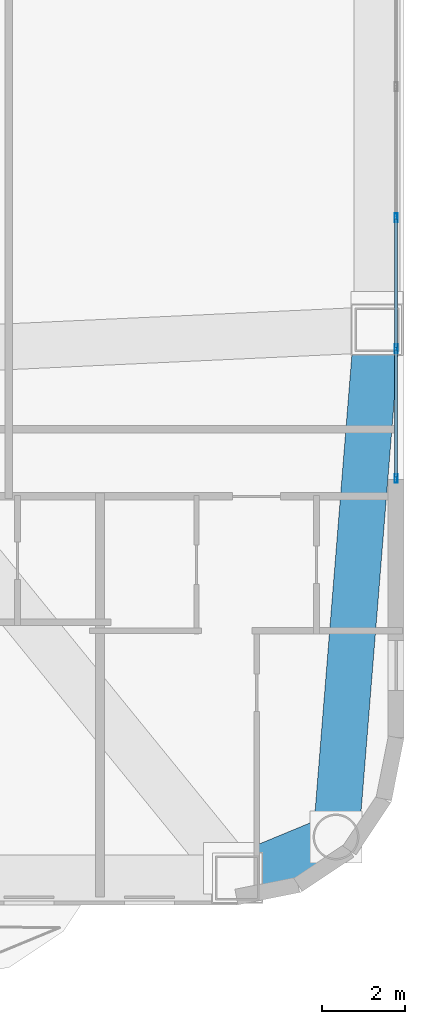
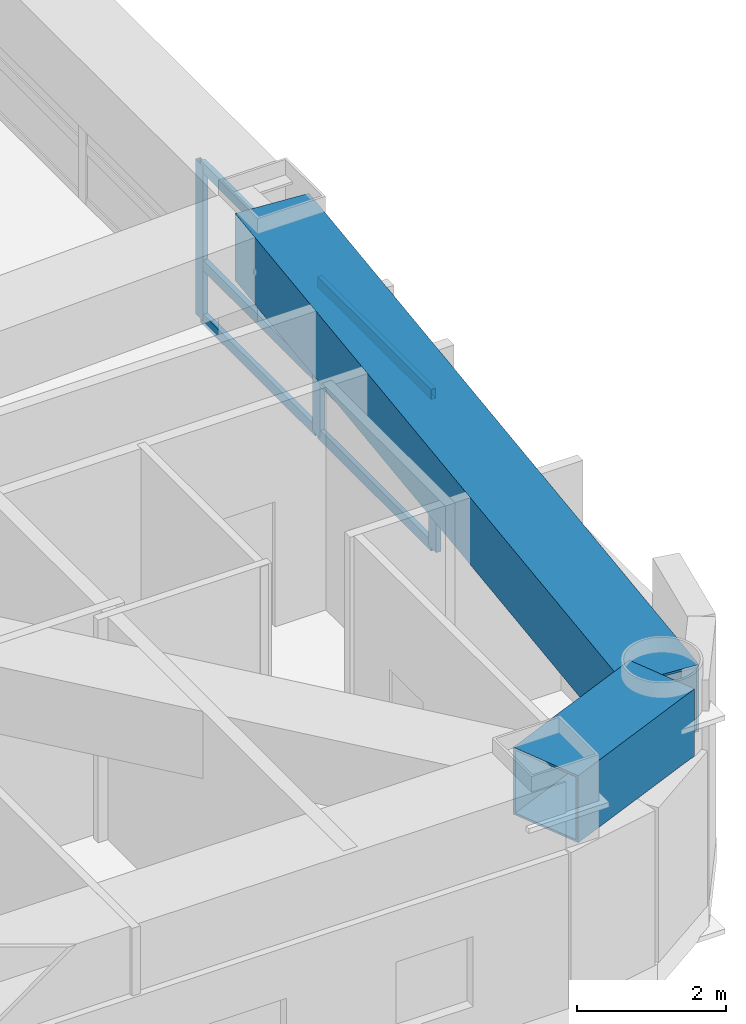
# One storey, part 2 of 18: 9 members, 2 beams, 1 element without a shape of its own.
"""IFC4 building model written with IfcOpenShell, lengths in metres."""

from ifc_helpers import new_model, si_unit, direction, frame, origin, origin_2d, place, context, subcontext, project, spatial, hollow_rectangle, extrude, material, layer, layer_set, material_profile, profile_set, type_object, element, aggregate, save


model = new_model("IFC4")

# Units and contexts
model_context = context("Model", 3, precision=1e-05, world=origin(), true_north=direction((0.0, 1.0)))
body_context = subcontext(model_context, "Body", "Model", "MODEL_VIEW")
ifc_project = project(units=[si_unit("LENGTHUNIT", "METRE"), si_unit("AREAUNIT", "SQUARE_METRE"), si_unit("VOLUMEUNIT", "CUBIC_METRE"), si_unit("PLANEANGLEUNIT", "RADIAN"), si_unit("MASSUNIT", "GRAM", prefix="KILO")], contexts=[model_context])

# Site, building, storey
site_placement = place(None, origin())
site = spatial("IfcSite", under=ifc_project, at=site_placement, CompositionType="ELEMENT")
building_placement = place(site_placement, origin())
building = spatial("IfcBuilding", under=site, at=building_placement, Name="Voryun Gate Residences", CompositionType="ELEMENT")
storey_placement = place(building_placement, frame((0.0, 0.0, 85.800048828125)))
storey = spatial("IfcBuildingStorey", under=building, at=storey_placement, Name="L20", CompositionType="ELEMENT", Elevation=85.800048828125)

# Beams
ifc_material_1 = material(Name="Steel SM420", Category="steel")
ifc_material_profile_1 = material_profile(ifc_material_1, hollow_rectangle(XDim=1.10009765625, YDim=1.10009765625, WallThickness=0.035888671875, at=origin_2d()), Name="BOX-1100x1100x36")
ifc_profile_set_1 = profile_set([ifc_material_profile_1], Name="Steel SM420")
beam_type = type_object("IfcBeamType", Name="BM_ARCH_RIB", PredefinedType="USERDEFINED", material=ifc_profile_set_1)
beam_1_placement = place(storey_placement, frame((29.39990234375, -19.949951171875, 3.099853515625), z_axis=(0.923883376753, 0.382674151414, 0.0), x_axis=(-0.382674151414, 0.923883376753, 0.0)))
element("IfcBeam", 1, at=beam_1_placement, inside=storey, type_object=beam_type, Name="BM-L20-SPAND-06", ObjectType="GIRDER", PredefinedType="USERDEFINED", context=body_context, shape_type="SweptSolid", body=[
    extrude(hollow_rectangle(XDim=1.10009765625, YDim=1.10009765625, WallThickness=0.035888671875, at=origin_2d()), origin(), (0.0, 0.0, 1.0), 2.56396484375),
])
beam_2_placement = place(storey_placement, frame((31.768798828125, -18.96875, 3.099853515625), z_axis=(0.080359517973, 0.996765944378, 0.0), x_axis=(-0.996765944378, 0.080359517973, 0.0)))
element("IfcBeam", 2, at=beam_2_placement, inside=storey, type_object=beam_type, Name="BM-L20-SPAND-07", ObjectType="GIRDER", PredefinedType="USERDEFINED", context=body_context, shape_type="SweptSolid", body=[
    extrude(hollow_rectangle(XDim=1.10009765625, YDim=1.10009765625, WallThickness=0.035888671875, at=origin_2d()), origin(), (0.0, 0.0, 1.0), 12.210205078125),
])

# Curtain wall, members
ifc_material_2 = material(Name="Anodised aluminium", Category="aluminium")
ifc_layer = layer(ifc_material_2, 0.2099609375, Name="CW_SYS_SKYGARDEN_DARK_GLASS")
ifc_layer_set = layer_set([ifc_layer], Name="Anodised aluminium")
curtain_wall_type = type_object("IfcCurtainWallType", Name="CW_SYS_SKYGARDEN_DARK_GLASS", PredefinedType="NOTDEFINED", material=ifc_layer_set)
curtain_wall_placement = place(storey_placement, origin())
curtain_wall = element("IfcCurtainWall", 3, at=curtain_wall_placement, inside=storey, type_object=curtain_wall_type, Name="Curtain wall CW5-L20-SG-16", PredefinedType="NOTDEFINED")
ifc_material_3 = material(Name="Anodised aluminium", Category="aluminium")
ifc_material_profile_2 = material_profile(ifc_material_3, hollow_rectangle(XDim=0.074951171875, YDim=0.2099609375, WallThickness=0.0048828125, at=origin_2d()), Name="ALU-MULL-210x75x5")
ifc_profile_set_2 = profile_set([ifc_material_profile_2], Name="Anodised aluminium")
member_type_1 = type_object("IfcMemberType", Name="CW_MULL_SKY", PredefinedType="MULLION", material=ifc_profile_set_2)
member_1_placement = place(storey_placement, frame((33.2099609375, -4.112548828125, 0.0), z_axis=(0.0, 0.0, 1.0), x_axis=(1.0, 0.0, 0.0)))
member_1 = element("IfcMember", 4, at=member_1_placement, type_object=member_type_1, Name="CW5 mullion 6", PredefinedType="MULLION", context=body_context, shape_type="SweptSolid", body=[
    extrude(hollow_rectangle(XDim=0.074951171875, YDim=0.2099609375, WallThickness=0.0048828125, at=origin_2d()), origin(), (0.0, 0.0, 1.0), 2.5400390625),
])
member_2_placement = place(storey_placement, frame((33.2099609375, -7.25439453125, 0.0), z_axis=(0.0, 0.0, 1.0), x_axis=(1.0, 0.0, 0.0)))
member_2 = element("IfcMember", 5, at=member_2_placement, type_object=member_type_1, Name="CW5 mullion 7", PredefinedType="MULLION", context=body_context, shape_type="SweptSolid", body=[
    extrude(hollow_rectangle(XDim=0.074951171875, YDim=0.2099609375, WallThickness=0.0048828125, at=origin_2d()), origin(), (0.0, 0.0, 1.0), 2.5400390625),
])
member_3_placement = place(storey_placement, frame((33.2099609375, -10.365966796875, 0.0), z_axis=(0.0, 0.0, 1.0), x_axis=(1.0, 0.0, 0.0)))
member_3 = element("IfcMember", 6, at=member_3_placement, type_object=member_type_1, Name="CW5 mullion 8", PredefinedType="MULLION", context=body_context, shape_type="SweptSolid", body=[
    extrude(hollow_rectangle(XDim=0.074951171875, YDim=0.2099609375, WallThickness=0.0048828125, at=origin_2d()), origin(), (0.0, 0.0, 1.0), 2.5400390625),
])
ifc_material_4 = material(Name="Anodised aluminium", Category="aluminium")
ifc_material_profile_3 = material_profile(ifc_material_4, hollow_rectangle(XDim=0.074951171875, YDim=0.169921875, WallThickness=0.0048828125, at=origin_2d()), Name="ALU-TRAN-170x75x5")
ifc_profile_set_3 = profile_set([ifc_material_profile_3], Name="Anodised aluminium")
member_type_2 = type_object("IfcMemberType", Name="CW_TRAN_SKY", PredefinedType="USERDEFINED", material=ifc_profile_set_3)
member_4_placement = place(storey_placement, frame((33.2099609375, -4.142578125, 0.030029296875), z_axis=(0.0, -1.0, 0.0), x_axis=(1.0, 0.0, 0.0)))
member_4 = element("IfcMember", 7, at=member_4_placement, type_object=member_type_2, Name="CW5 transom 6.1", ObjectType="TRANSOM", PredefinedType="USERDEFINED", context=body_context, shape_type="SweptSolid", body=[
    extrude(hollow_rectangle(XDim=0.074951171875, YDim=0.169921875, WallThickness=0.0048828125, at=origin_2d()), origin(), (0.0, 0.0, 1.0), 3.081787109375),
])
member_5_placement = place(storey_placement, frame((33.2099609375, -4.142578125, 0.914306640625), z_axis=(0.0, -1.0, 0.0), x_axis=(1.0, 0.0, 0.0)))
member_5 = element("IfcMember", 8, at=member_5_placement, type_object=member_type_2, Name="CW5 transom 6.2", ObjectType="TRANSOM", PredefinedType="USERDEFINED", context=body_context, shape_type="SweptSolid", body=[
    extrude(hollow_rectangle(XDim=0.074951171875, YDim=0.169921875, WallThickness=0.0048828125, at=origin_2d()), origin(), (0.0, 0.0, 1.0), 3.081787109375),
])
member_6_placement = place(storey_placement, frame((33.2099609375, -4.142578125, 2.510009765625), z_axis=(0.0, -1.0, 0.0), x_axis=(1.0, 0.0, 0.0)))
member_6 = element("IfcMember", 9, at=member_6_placement, type_object=member_type_2, Name="CW5 transom 6.3", ObjectType="TRANSOM", PredefinedType="USERDEFINED", context=body_context, shape_type="SweptSolid", body=[
    extrude(hollow_rectangle(XDim=0.074951171875, YDim=0.169921875, WallThickness=0.0048828125, at=origin_2d()), origin(), (0.0, 0.0, 1.0), 3.081787109375),
])
member_7_placement = place(storey_placement, frame((33.2099609375, -7.2841796875, 0.030029296875), z_axis=(0.0, -1.0, 0.0), x_axis=(1.0, 0.0, 0.0)))
member_7 = element("IfcMember", 10, at=member_7_placement, type_object=member_type_2, Name="CW5 transom 7.1", ObjectType="TRANSOM", PredefinedType="USERDEFINED", context=body_context, shape_type="SweptSolid", body=[
    extrude(hollow_rectangle(XDim=0.074951171875, YDim=0.169921875, WallThickness=0.0048828125, at=origin_2d()), origin(), (0.0, 0.0, 1.0), 3.0517578125),
])
member_8_placement = place(storey_placement, frame((33.2099609375, -7.2841796875, 0.914306640625), z_axis=(0.0, -1.0, 0.0), x_axis=(1.0, 0.0, 0.0)))
member_8 = element("IfcMember", 11, at=member_8_placement, type_object=member_type_2, Name="CW5 transom 7.2", ObjectType="TRANSOM", PredefinedType="USERDEFINED", context=body_context, shape_type="SweptSolid", body=[
    extrude(hollow_rectangle(XDim=0.074951171875, YDim=0.169921875, WallThickness=0.0048828125, at=origin_2d()), origin(), (0.0, 0.0, 1.0), 3.0517578125),
])
member_9_placement = place(storey_placement, frame((33.2099609375, -7.2841796875, 2.510009765625), z_axis=(0.0, -1.0, 0.0), x_axis=(1.0, 0.0, 0.0)))
member_9 = element("IfcMember", 12, at=member_9_placement, type_object=member_type_2, Name="CW5 transom 7.3", ObjectType="TRANSOM", PredefinedType="USERDEFINED", context=body_context, shape_type="SweptSolid", body=[
    extrude(hollow_rectangle(XDim=0.074951171875, YDim=0.169921875, WallThickness=0.0048828125, at=origin_2d()), origin(), (0.0, 0.0, 1.0), 3.0517578125),
])
aggregate(curtain_wall, [member_1, member_2, member_3, member_4, member_5, member_6, member_7, member_8, member_9])

save(model, "model.ifc")
